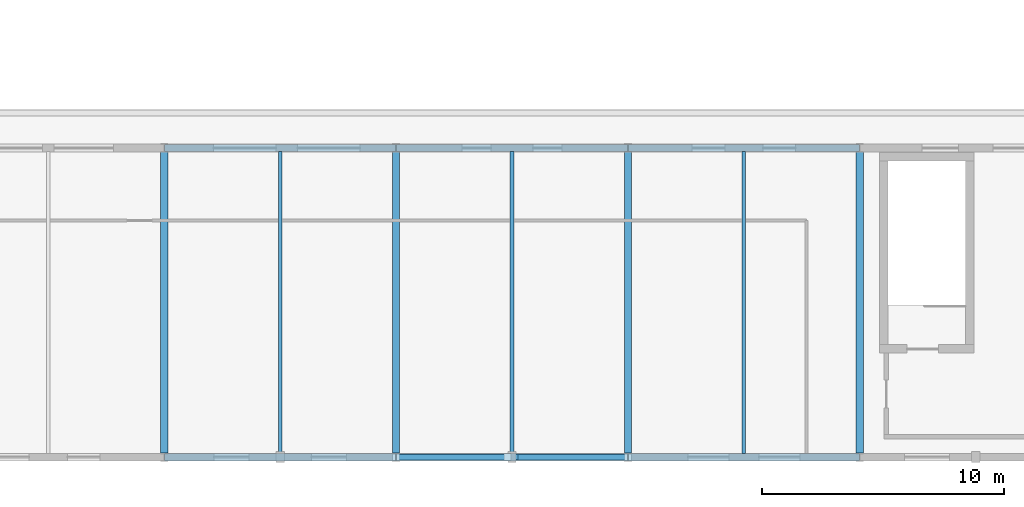
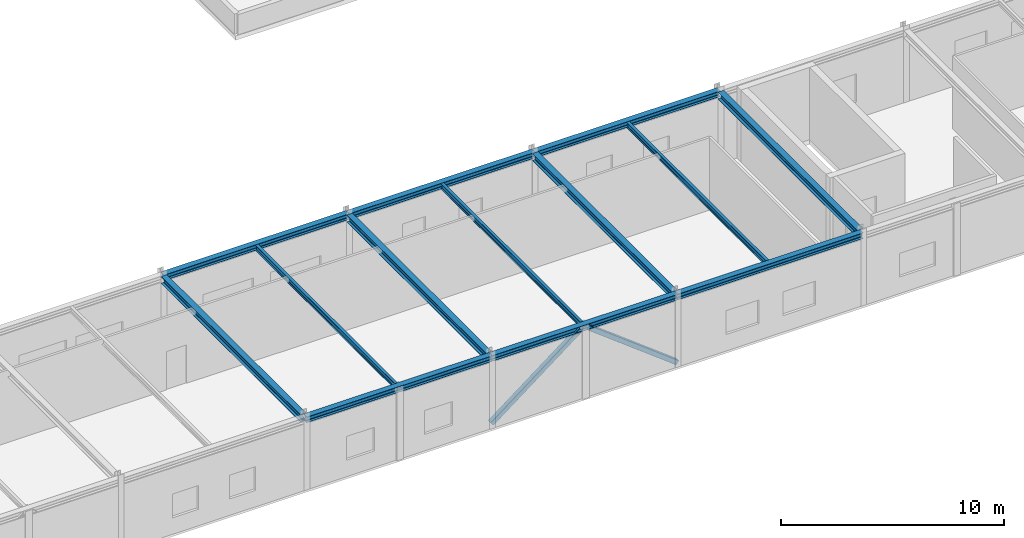
# One storey, part 21 of 99: 13 beams, 2 members.
"""IFC4 building model written with IfcOpenShell, lengths in metres."""

from ifc_helpers import new_model, si_unit, direction, frame, origin, origin_2d, place, context, subcontext, project, spatial, hollow_rectangle, i_section, extrude, material, material_profile, profile_set, type_object, element, save


model = new_model("IFC4")

# Units and contexts
model_context = context("Model", 3, precision=1e-05, world=origin(), true_north=direction((0.0, 1.0)))
body_context = subcontext(model_context, "Body", "Model", "MODEL_VIEW")
ifc_project = project(units=[si_unit("LENGTHUNIT", "METRE"), si_unit("AREAUNIT", "SQUARE_METRE"), si_unit("VOLUMEUNIT", "CUBIC_METRE"), si_unit("PLANEANGLEUNIT", "RADIAN"), si_unit("MASSUNIT", "GRAM", prefix="KILO")], contexts=[model_context])

# Site, building, storey
site_placement = place(None, origin())
site = spatial("IfcSite", under=ifc_project, at=site_placement, CompositionType="ELEMENT")
building_placement = place(site_placement, origin())
building = spatial("IfcBuilding", under=site, at=building_placement, Name="Nordkorset Police Headquarters", CompositionType="ELEMENT")
storey_placement = place(building_placement, frame((0.0, 0.0, 5.25)))
storey = spatial("IfcBuildingStorey", under=building, at=storey_placement, Name="L01", CompositionType="ELEMENT", Elevation=5.25)

# Beams
ifc_material_1 = material(Name="Steel S355J2", Category="steel")
ifc_material_profile_1 = material_profile(ifc_material_1, i_section(OverallWidth=0.14990234375, OverallDepth=0.300048828125, WebThickness=0.007080078125, FlangeThickness=0.0107421875, FilletRadius=0.014892578125, at=origin_2d()), Name="IPE 300")
ifc_profile_set_1 = profile_set([ifc_material_profile_1], Name="Steel S355J2")
beam_type_1 = type_object("IfcBeamType", Name="Beam_IPE_300", PredefinedType="JOIST", material=ifc_profile_set_1)
for number, where, z_axis, x_axis, name in (
    (1, (33.60009765625, 0.14990234375, 3.81494140625), (0.0, 1.0, 0.0), (-1.0, 0.0, 0.0), "Composite Floor Beam V7S L01 3-0-1"),
    (2, (43.199951171875, 0.14990234375, 3.81494140625), (0.0, 1.0, 0.0), (-1.0, 0.0, 0.0), "Composite Floor Beam V7S L01 4-0-1"),
    (3, (52.800048828125, 0.14990234375, 3.81494140625), (0.0, 1.0, 0.0), (-1.0, 0.0, 0.0), "Composite Floor Beam V7S L01 5-0-1"),
):
    element("IfcBeam", number, at=place(storey_placement, frame(where, z_axis=z_axis, x_axis=x_axis)), inside=storey, type_object=beam_type_1, Name=name, PredefinedType="JOIST", context=body_context, shape_type="SweptSolid", body=[
        extrude(i_section(OverallWidth=0.14990234375, OverallDepth=0.300048828125, WebThickness=0.007080078125, FlangeThickness=0.0107421875, FilletRadius=0.014892578125, at=origin_2d()), origin(), (0.0, 0.0, 1.0), 12.5),
    ])

# Members
ifc_material_2 = material(Name="Steel S355J2", Category="steel")
ifc_material_profile_2 = material_profile(ifc_material_2, hollow_rectangle(XDim=0.25, YDim=0.25, WallThickness=0.012451171875, InnerFilletRadius=0.012451171875, OuterFilletRadius=0.02490234375, at=origin_2d()), Name="SHS 250x250x12.5")
ifc_profile_set_2 = profile_set([ifc_material_profile_2], Name="Steel S355J2")
member_type = type_object("IfcMemberType", Name="Brace_SHS_250x250x12.5", PredefinedType="BRACE", material=ifc_profile_set_2)
for number, where, z_axis, x_axis, name in (
    (4, (38.406005859375, 0.0, 0.199951171875), (0.793388064902, 0.0, 0.608716172342), (0.0, 1.0, 0.0), "Lateral Chevron Brace BF-EXT-V7S4 L01 D1"),
    (5, (47.993896484375, 0.0, 0.199951171875), (-0.793388064902, 0.0, 0.608716172342), (0.0, -1.0, 0.0), "Lateral Chevron Brace BF-EXT-V7S4 L01 D2"),
):
    element("IfcMember", number, at=place(storey_placement, frame(where, z_axis=z_axis, x_axis=x_axis)), inside=storey, type_object=member_type, Name=name, PredefinedType="BRACE", context=body_context, shape_type="SweptSolid", body=[
        extrude(hollow_rectangle(XDim=0.25, YDim=0.25, WallThickness=0.012451171875, InnerFilletRadius=0.012451171875, OuterFilletRadius=0.02490234375, at=origin_2d()), origin(), (0.0, 0.0, 1.0), 5.815673828125),
    ])

# Beams
ifc_material_3 = material(Name="Steel S355J2", Category="steel")
ifc_material_profile_3 = material_profile(ifc_material_3, i_section(OverallWidth=0.300048828125, OverallDepth=0.389892578125, WebThickness=0.010986328125, FlangeThickness=0.01904296875, FilletRadius=0.027099609375, at=origin_2d()), Name="HEA 400")
ifc_profile_set_3 = profile_set([ifc_material_profile_3], Name="Steel S355J2")
beam_type_2 = type_object("IfcBeamType", Name="Girder_HEA_400", PredefinedType="USERDEFINED", material=ifc_profile_set_3)
for number, where, z_axis, x_axis, name in (
    (6, (28.800048828125, 0.169921875, 3.77001953125), (0.0, 1.0, 0.0), (-1.0, 0.0, 0.0), "Girder V7S L01 GY-3-0"),
    (7, (38.39990234375, 0.169921875, 3.77001953125), (0.0, 1.0, 0.0), (-1.0, 0.0, 0.0), "Girder V7S L01 GY-4-0"),
    (8, (48.0, 0.169921875, 3.77001953125), (0.0, 1.0, 0.0), (-1.0, 0.0, 0.0), "Girder V7S L01 GY-5-0"),
    (9, (57.60009765625, 0.169921875, 3.77001953125), (0.0, 1.0, 0.0), (-1.0, 0.0, 0.0), "Girder V7S L01 GY-6-0"),
):
    element("IfcBeam", number, at=place(storey_placement, frame(where, z_axis=z_axis, x_axis=x_axis)), inside=storey, type_object=beam_type_2, Name=name, ObjectType="GIRDER", PredefinedType="USERDEFINED", context=body_context, shape_type="SweptSolid", body=[
        extrude(i_section(OverallWidth=0.300048828125, OverallDepth=0.389892578125, WebThickness=0.010986328125, FlangeThickness=0.01904296875, FilletRadius=0.027099609375, at=origin_2d()), origin(), (0.0, 0.0, 1.0), 12.4599609375),
    ])
ifc_material_4 = material(Name="Steel S355J2", Category="steel")
ifc_material_profile_4 = material_profile(ifc_material_4, i_section(OverallWidth=0.300048828125, OverallDepth=0.31005859375, WebThickness=0.009033203125, FlangeThickness=0.015380859375, FilletRadius=0.027099609375, at=origin_2d()), Name="HEA 320")
ifc_profile_set_4 = profile_set([ifc_material_profile_4], Name="Steel S355J2")
beam_type_3 = type_object("IfcBeamType", Name="Spandrel_HEA_320", PredefinedType="SPANDREL", material=ifc_profile_set_4)
beam_1_placement = place(storey_placement, frame((28.805908203125, 0.0, 3.81005859375), z_axis=(1.0, 0.0, 0.0), x_axis=(0.0, 1.0, 0.0)))
element("IfcBeam", 10, at=beam_1_placement, inside=storey, type_object=beam_type_3, Name="Girder V7S L01 GX-0-3", PredefinedType="SPANDREL", context=body_context, shape_type="SweptSolid", body=[
    extrude(i_section(OverallWidth=0.300048828125, OverallDepth=0.31005859375, WebThickness=0.009033203125, FlangeThickness=0.015380859375, FilletRadius=0.027099609375, at=origin_2d()), origin(), (0.0, 0.0, 1.0), 9.588134765625),
])
for number, where, z_axis, x_axis, name in (
    (11, (38.406005859375, 0.0, 3.81005859375), (1.0, 0.0, 0.0), (0.0, 1.0, 0.0), "Girder V7S L01 GX-0-4"),
    (12, (48.006103515625, 0.0, 3.81005859375), (1.0, 0.0, 0.0), (0.0, 1.0, 0.0), "Girder V7S L01 GX-0-5"),
):
    element("IfcBeam", number, at=place(storey_placement, frame(where, z_axis=z_axis, x_axis=x_axis)), inside=storey, type_object=beam_type_3, Name=name, PredefinedType="SPANDREL", context=body_context, shape_type="SweptSolid", body=[
        extrude(i_section(OverallWidth=0.300048828125, OverallDepth=0.31005859375, WebThickness=0.009033203125, FlangeThickness=0.015380859375, FilletRadius=0.027099609375, at=origin_2d()), origin(), (0.0, 0.0, 1.0), 9.587890625),
    ])
beam_2_placement = place(storey_placement, frame((28.805908203125, 12.800048828125, 3.81005859375), z_axis=(1.0, 0.0, 0.0), x_axis=(0.0, 1.0, 0.0)))
element("IfcBeam", 13, at=beam_2_placement, inside=storey, type_object=beam_type_3, Name="Girder V7S L01 GX-1-3", PredefinedType="SPANDREL", context=body_context, shape_type="SweptSolid", body=[
    extrude(i_section(OverallWidth=0.300048828125, OverallDepth=0.31005859375, WebThickness=0.009033203125, FlangeThickness=0.015380859375, FilletRadius=0.027099609375, at=origin_2d()), origin(), (0.0, 0.0, 1.0), 9.588134765625),
])
for number, where, z_axis, x_axis, name in (
    (14, (38.406005859375, 12.800048828125, 3.81005859375), (1.0, 0.0, 0.0), (0.0, 1.0, 0.0), "Girder V7S L01 GX-1-4"),
    (15, (48.006103515625, 12.800048828125, 3.81005859375), (1.0, 0.0, 0.0), (0.0, 1.0, 0.0), "Girder V7S L01 GX-1-5"),
):
    element("IfcBeam", number, at=place(storey_placement, frame(where, z_axis=z_axis, x_axis=x_axis)), inside=storey, type_object=beam_type_3, Name=name, PredefinedType="SPANDREL", context=body_context, shape_type="SweptSolid", body=[
        extrude(i_section(OverallWidth=0.300048828125, OverallDepth=0.31005859375, WebThickness=0.009033203125, FlangeThickness=0.015380859375, FilletRadius=0.027099609375, at=origin_2d()), origin(), (0.0, 0.0, 1.0), 9.587890625),
    ])

save(model, "model.ifc")
